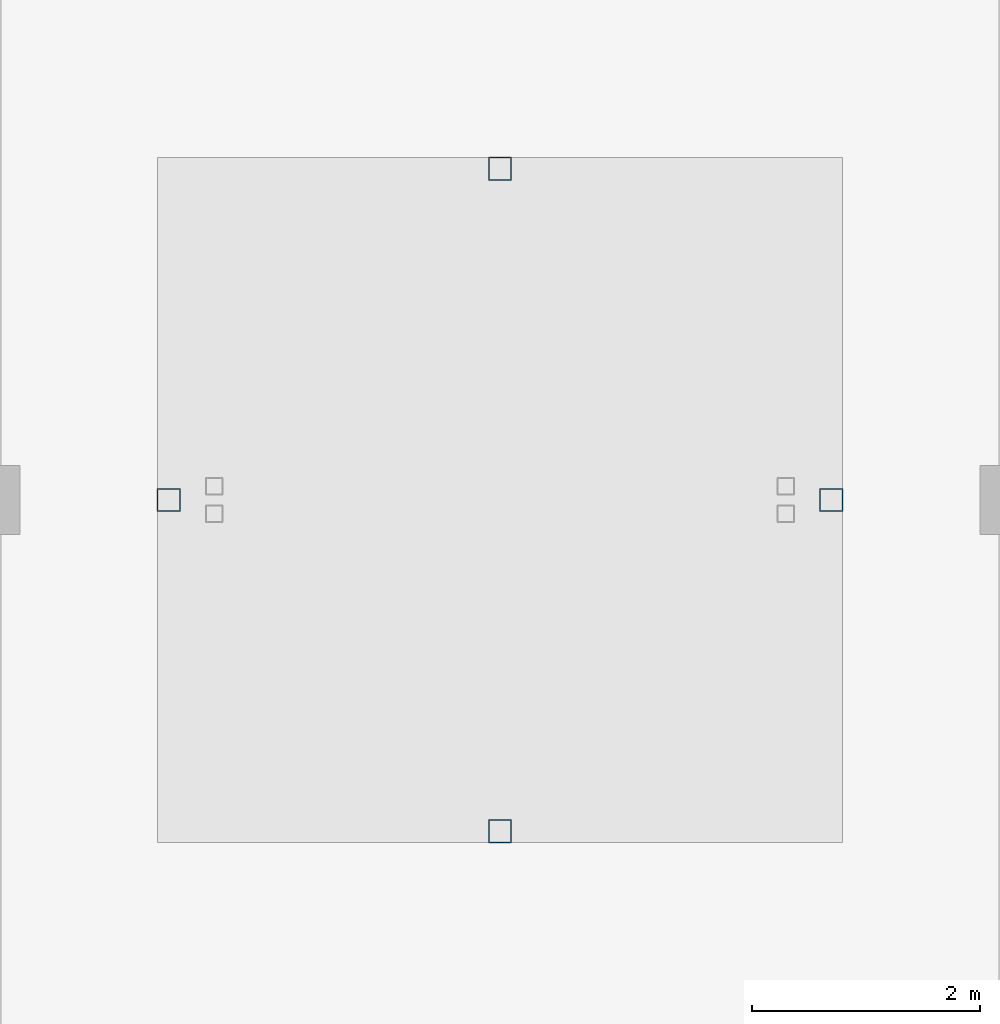
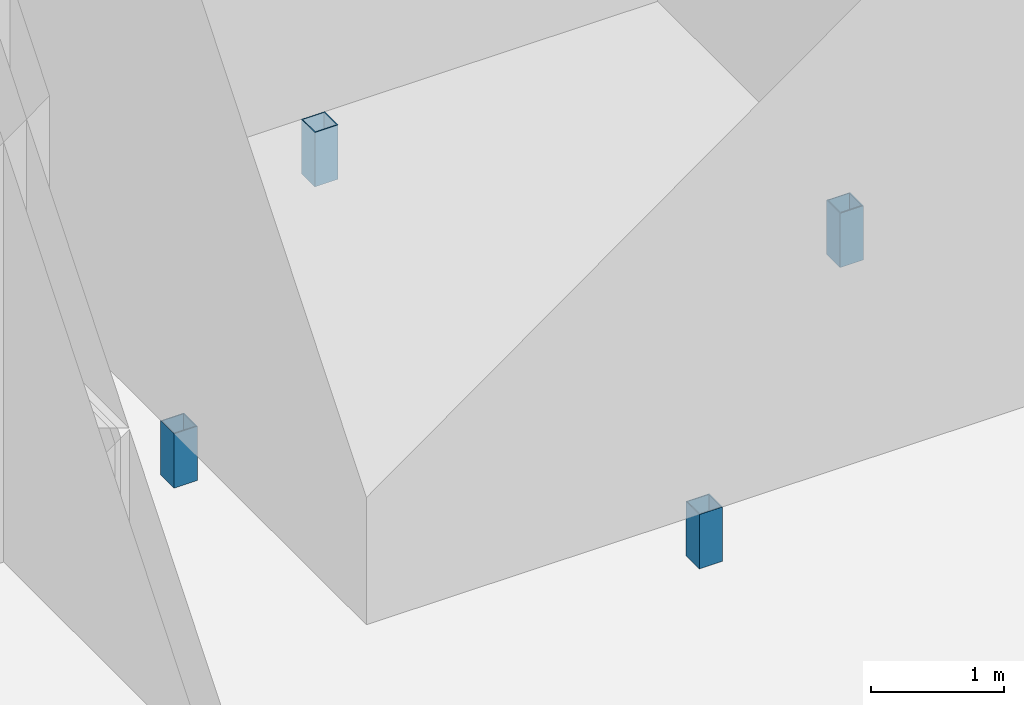
# One storey, part 9 of 16: 4 members.
"""IFC4 building model written with IfcOpenShell, lengths in metres."""

import ifcopenshell
import ifcopenshell.guid

model = None  # the IFC model being written
_history = None  # IfcOwnerHistory: only IFC2X3 demands one
_inside = {}  # id of a spatial element -> (the spatial element, [elements in it])
_under = {}  # id of a project, library or spatial element -> (it, [spatial elements below it])
_declared = {}  # id of a project -> (the project, [libraries it declares])
_typed = {}  # id of a type object -> (the type object, [elements of that type])
_made_of = {}  # id of a material, layer set ... -> (it, [elements and type objects made of it])


def new_model(schema):
    """Start an empty IFC model of exactly this schema.

    Asked for "IFC4X3", IfcOpenShell would pick the latest addendum, in which some entities
    have other attributes; the version numbers below select the first issue.
    IFC2X3 requires an IfcOwnerHistory on every rooted entity: one is made here for all.
    """
    global model, _history
    if schema == "IFC4X3":
        model = ifcopenshell.file(schema_version=(4, 3, 0, 0))
    else:
        model = ifcopenshell.file(schema=schema)
    _inside.clear()
    _under.clear()
    _declared.clear()
    _typed.clear()
    _made_of.clear()
    _history = None
    if model.schema == "IFC2X3":
        org = make("IfcOrganization", Name="unknown")
        user = make(
            "IfcPersonAndOrganization",
            ThePerson=make("IfcPerson", FamilyName="unknown"),
            TheOrganization=org,
        )
        app = make(
            "IfcApplication",
            ApplicationDeveloper=org,
            Version="unknown",
            ApplicationFullName="unknown",
            ApplicationIdentifier="unknown",
        )
        _history = make(
            "IfcOwnerHistory",
            OwningUser=user,
            OwningApplication=app,
            ChangeAction="ADDED",
            CreationDate=0,
        )
    return model


def make(cls, **values):
    """One entity of the class cls with the attributes given. An attribute that is None is left unset."""
    return model.create_entity(
        cls, **{name: value for name, value in values.items() if value is not None}
    )


def rooted(cls, **values):
    """An entity with a GlobalId (a new one), such as an element, a storey or a relation."""
    return make(cls, GlobalId=ifcopenshell.guid.new(), OwnerHistory=_history, **values)


def si_unit(unit_type, name, prefix=None):
    """IfcSIUnit, for example si_unit("LENGTHUNIT", "METRE", prefix="MILLI")."""
    return make("IfcSIUnit", UnitType=unit_type, Prefix=prefix, Name=name)


def assignment(units):
    """IfcUnitAssignment: the units of a project."""
    return None if units is None else make("IfcUnitAssignment", Units=units)


def point(xyz):
    """IfcCartesianPoint."""
    return None if xyz is None else make("IfcCartesianPoint", Coordinates=xyz)


def direction(xyz):
    """IfcDirection."""
    return None if xyz is None else make("IfcDirection", DirectionRatios=xyz)


def frame(location, z_axis=None, x_axis=None):
    """IfcAxis2Placement3D, a coordinate frame: its origin and axes. An axis left out is left unset."""
    return make(
        "IfcAxis2Placement3D",
        Location=point(location),
        Axis=direction(z_axis),
        RefDirection=direction(x_axis),
    )


def frame_2d(location, x_axis=None):
    """IfcAxis2Placement2D, a coordinate frame in the plane: its origin and x axis."""
    return make(
        "IfcAxis2Placement2D", Location=point(location), RefDirection=direction(x_axis)
    )


def origin():
    """The frame at (0, 0, 0) with its axes left unset."""
    return frame((0.0, 0.0, 0.0))


def origin_2d():
    """The frame at (0, 0) in the plane with its x axis left unset."""
    return frame_2d((0.0, 0.0))


def place(relative_to, where):
    """IfcLocalPlacement: puts the frame where relative to a parent placement (None: the world)."""
    return make(
        "IfcLocalPlacement", PlacementRelTo=relative_to, RelativePlacement=where
    )


def context(
    kind, dimensions, precision=None, world=None, true_north=None, identifier=None
):
    """IfcGeometricRepresentationContext, for example the 3D "Model" context."""
    return make(
        "IfcGeometricRepresentationContext",
        ContextIdentifier=identifier,
        ContextType=kind,
        CoordinateSpaceDimension=dimensions,
        Precision=precision,
        WorldCoordinateSystem=world,
        TrueNorth=true_north,
    )


def subcontext(parent, identifier, kind, view, scale=None):
    """IfcGeometricRepresentationSubContext, for example "Body" below "Model"."""
    return make(
        "IfcGeometricRepresentationSubContext",
        ContextIdentifier=identifier,
        ContextType=kind,
        ParentContext=parent,
        TargetScale=scale,
        TargetView=view,
    )


def project(units=None, contexts=None):
    """IfcProject with its units and contexts."""
    return rooted(
        "IfcProject",
        Name="project",
        RepresentationContexts=contexts,
        UnitsInContext=assignment(units),
    )


def spatial(cls, under=None, at=None, **own):
    """A site, building, storey or space (cls), placed at a placement, below another one or the project."""
    s = rooted(cls, ObjectPlacement=at, **own)
    if under is not None:
        _under.setdefault(under.id(), (under, []))[1].append(s)
    return s


def profile(cls, at=None, kind="AREA", **sizes):
    """A parametric profile (cls). Its sizes go by their IFC names, for example OverallWidth=200.0."""
    return make(cls, ProfileType=kind, Position=at, **sizes)


def hollow_rectangle(**sizes):
    """IfcRectangleHollowProfileDef."""
    return profile("IfcRectangleHollowProfileDef", **sizes)


def extrude(swept, where, along, depth):
    """IfcExtrudedAreaSolid: the profile swept, set in the frame where, extruded along a direction by depth."""
    return make(
        "IfcExtrudedAreaSolid",
        SweptArea=swept,
        Position=where,
        ExtrudedDirection=direction(along),
        Depth=depth,
    )


def shape(context_of_items, identifier, shape_type, items):
    """IfcShapeRepresentation: the items that make up one representation, for example the "Body"."""
    return make(
        "IfcShapeRepresentation",
        ContextOfItems=context_of_items,
        RepresentationIdentifier=identifier,
        RepresentationType=shape_type,
        Items=items,
    )


def material(Name=None, Category=None):
    """IfcMaterial."""
    return make("IfcMaterial", Name=Name, Category=Category)


def material_profile(
    of_material, cross_section, Name=None, Category=None, Priority=None
):
    """IfcMaterialProfile: a cross section and its material."""
    return make(
        "IfcMaterialProfile",
        Name=Name,
        Material=of_material,
        Profile=cross_section,
        Priority=Priority,
        Category=Category,
    )


def profile_set(profiles, Name=None, composite=None):
    """IfcMaterialProfileSet."""
    return make(
        "IfcMaterialProfileSet",
        Name=Name,
        MaterialProfiles=profiles,
        CompositeProfile=composite,
    )


def made_of(thing, what):
    """Note that an element or type object is made of a material, layer set ...; save() writes the relation."""
    if what is not None:
        _made_of.setdefault(what.id(), (what, []))[1].append(thing)
    return thing


def type_object(cls, material=None, **own):
    """A type object (cls), such as IfcWallType, which elements share."""
    return made_of(rooted(cls, **own), material)


def element(
    cls,
    number,
    at=None,
    inside=None,
    cuts=None,
    type_object=None,
    material=None,
    context=None,
    identifier="Body",
    shape_type=None,
    held_by="IfcProductDefinitionShape",
    body=None,
    shapes=None,
    **own,
):
    """One element of the class cls, such as IfcWall. Its Tag is "e" and its number.

    at: its placement. inside: the storey or other place that contains it. cuts: it is an
    opening in that element (IfcRelVoidsElement). A single representation is given by context,
    identifier, shape_type and body (its items); several are given by shapes. held_by: the class
    of the entity that holds the representations. save() writes the other relations.
    """
    e = rooted(cls, Tag="e%d" % number, ObjectPlacement=at, **own)
    if body is not None:
        shapes = [shape(context, identifier, shape_type, body)]
    if shapes is not None:
        e.Representation = make(held_by, Representations=shapes)
    if inside is not None:
        _inside.setdefault(inside.id(), (inside, []))[1].append(e)
    if cuts is not None:
        rooted(
            "IfcRelVoidsElement", RelatingBuildingElement=cuts, RelatedOpeningElement=e
        )
    if type_object is not None:
        _typed.setdefault(type_object.id(), (type_object, []))[1].append(e)
    return made_of(e, material)


def aggregate(whole, parts):
    """IfcRelAggregates: a whole, such as a stair, and the parts it consists of."""
    return rooted("IfcRelAggregates", RelatingObject=whole, RelatedObjects=parts)


def save(model, path):
    """Write the relations noted so far, then the file.

    IfcRelAggregates (storeys below a building ...), IfcRelContainedInSpatialStructure (elements
    in a storey), IfcRelDefinesByType, IfcRelAssociatesMaterial and IfcRelDeclares: one each for
    every whole, place, type object, material and project.
    """
    for whole, parts in _under.values():
        aggregate(whole, parts)
    for where, things in _inside.values():
        rooted(
            "IfcRelContainedInSpatialStructure",
            RelatedElements=things,
            RelatingStructure=where,
        )
    for kind, things in _typed.values():
        rooted("IfcRelDefinesByType", RelatedObjects=things, RelatingType=kind)
    for what, things in _made_of.values():
        rooted("IfcRelAssociatesMaterial", RelatedObjects=things, RelatingMaterial=what)
    for by, libraries in _declared.values():
        rooted("IfcRelDeclares", RelatingContext=by, RelatedDefinitions=libraries)
    model.write(path)


model = new_model("IFC4")

# Units and contexts
model_context = context("Model", 3, precision=1e-05, world=origin(), true_north=direction((0.0, 1.0)))
body_context = subcontext(model_context, "Body", "Model", "MODEL_VIEW")
ifc_project = project(units=[si_unit("LENGTHUNIT", "METRE"), si_unit("AREAUNIT", "SQUARE_METRE"), si_unit("VOLUMEUNIT", "CUBIC_METRE"), si_unit("PLANEANGLEUNIT", "RADIAN"), si_unit("MASSUNIT", "GRAM", prefix="KILO")], contexts=[model_context])

# Site, building, storey
site_placement = place(None, origin())
site = spatial("IfcSite", under=ifc_project, at=site_placement, CompositionType="ELEMENT")
building_placement = place(site_placement, origin())
building = spatial("IfcBuilding", under=site, at=building_placement, Name="Corbelhall Arena Tower", CompositionType="ELEMENT")
storey_placement = place(building_placement, frame((0.0, 0.0, 366.0)))
storey = spatial("IfcBuildingStorey", under=building, at=storey_placement, Name="L80", CompositionType="ELEMENT", Elevation=366.0)

# Members
ifc_material = material(Name="Steel ASTM A500 Gr C", Category="steel")
ifc_material_profile = material_profile(ifc_material, hollow_rectangle(XDim=0.203125, YDim=0.203125, WallThickness=0.0087890625, at=origin_2d()))
ifc_profile_set = profile_set([ifc_material_profile], Name="Steel ASTM A500 Gr C")
member_type = type_object("IfcMemberType", Name="ST-POST-HSS8x8x3/8", PredefinedType="POST", material=ifc_profile_set)
for number, where, z_axis, x_axis, name in (
    (1, (2.89990234375, 0.0, 0.0), (0.0, 0.0, 1.0), (1.0, 0.0, 0.0), "Damper mass pedestal 1"),
    (2, (-2.89990234375, 0.0, 0.0), (0.0, 0.0, 1.0), (1.0, 0.0, 0.0), "Damper mass pedestal 2"),
    (3, (0.0, 2.89990234375, 0.0), (0.0, 0.0, 1.0), (1.0, 0.0, 0.0), "Damper mass pedestal 3"),
    (4, (0.0, -2.89990234375, 0.0), (0.0, 0.0, 1.0), (1.0, 0.0, 0.0), "Damper mass pedestal 4"),
):
    element("IfcMember", number, at=place(storey_placement, frame(where, z_axis=z_axis, x_axis=x_axis)), inside=storey, type_object=member_type, Name=name, PredefinedType="POST", context=body_context, shape_type="SweptSolid", body=[
        extrude(hollow_rectangle(XDim=0.203125, YDim=0.203125, WallThickness=0.0087890625, at=origin_2d()), origin(), (0.0, 0.0, 1.0), 0.5),
    ])

save(model, "model.ifc")
